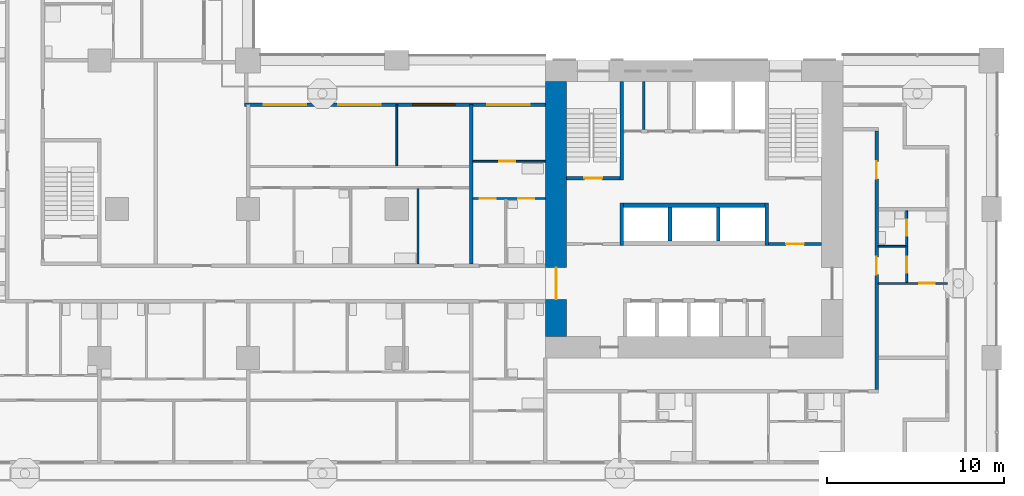
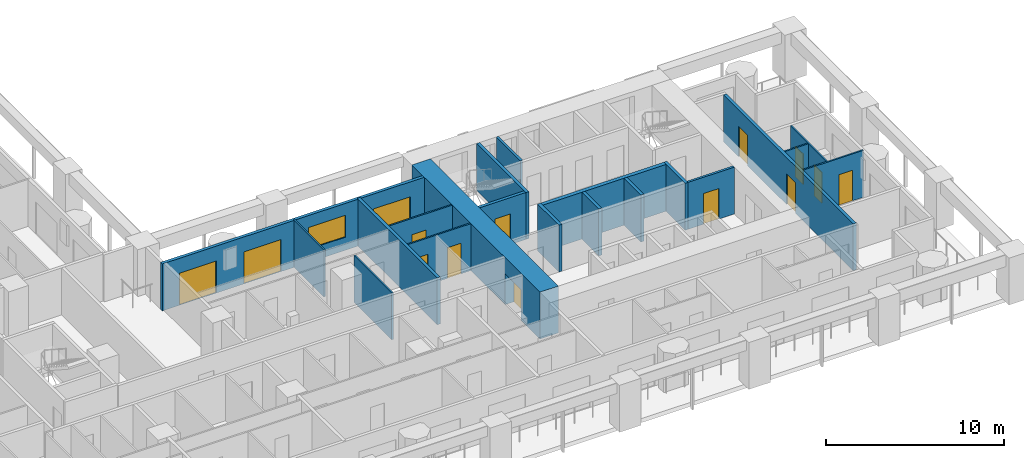
# One storey, part 7 of 22: 20 walls, 14 doors, 1 window, 15 openings.
"""IFC4 building model written with IfcOpenShell, lengths in metres."""

from ifc_helpers import new_model, si_unit, direction, frame, frame_2d, origin, place, context, subcontext, project, spatial, rectangle, extrude, material, layer, layer_set, type_object, element, fill, save


model = new_model("IFC4")

# Units and contexts
model_context = context("Model", 3, precision=1e-05, world=origin(), true_north=direction((0.0, 1.0)))
body_context = subcontext(model_context, "Body", "Model", "MODEL_VIEW")
ifc_project = project(units=[si_unit("LENGTHUNIT", "METRE"), si_unit("AREAUNIT", "SQUARE_METRE"), si_unit("VOLUMEUNIT", "CUBIC_METRE"), si_unit("PLANEANGLEUNIT", "RADIAN"), si_unit("MASSUNIT", "GRAM", prefix="KILO")], contexts=[model_context])

# Site, building, storey
site_placement = place(None, origin())
site = spatial("IfcSite", under=ifc_project, at=site_placement, CompositionType="ELEMENT")
building_placement = place(site_placement, origin())
building = spatial("IfcBuilding", under=site, at=building_placement, Name="Vermilion Gate Residences", CompositionType="ELEMENT")
storey_placement = place(building_placement, frame((0.0, 0.0, 60.199951171875)))
storey = spatial("IfcBuildingStorey", under=building, at=storey_placement, Name="L14", CompositionType="ELEMENT", Elevation=60.199951171875)

# Wall
ifc_material_1 = material(Name="Masonry blockwork", Category="masonry")
ifc_layer_1 = layer(ifc_material_1, 0.14990234375)
ifc_layer_set_1 = layer_set([ifc_layer_1], Name="BLOCKWORK PARTITION 150 EI 120")
wall_type_1 = type_object("IfcWallType", Name="BLOCKWORK PARTITION 150 EI 120", PredefinedType="PARTITIONING", material=ifc_layer_set_1)
wall_1_placement = place(storey_placement, frame((47.554931640625, 21.300048828125, 0.0), z_axis=(0.0, 0.0, 1.0), x_axis=(0.0, 1.0, 0.0)))
element("IfcWall", 1, at=wall_1_placement, inside=storey, type_object=wall_type_1, Name="Core room partition A14-NR-P0", PredefinedType="PARTITIONING", context=body_context, shape_type="SweptSolid", body=[
    extrude(rectangle(XDim=2.699951171875, YDim=0.14990234375, at=frame_2d((1.35009765625, 0.0))), origin(), (0.0, 0.0, 1.0), 3.219970703125),
])

# Wall, opening, door
wall_2_placement = place(storey_placement, frame((54.60009765625, 14.824951171875, 0.0), z_axis=(0.0, 0.0, 1.0), x_axis=(1.0, 0.0, 0.0)))
wall_2 = element("IfcWall", 2, at=wall_2_placement, inside=storey, type_object=wall_type_1, Name="Core room partition A14-VE-S", PredefinedType="PARTITIONING", context=body_context, shape_type="SweptSolid", body=[
    extrude(rectangle(XDim=3.0, YDim=0.14990234375, at=frame_2d((1.5, 0.0))), origin(), (0.0, 0.0, 1.0), 3.219970703125),
])
opening_1_placement = place(wall_2_placement, frame((1.0, 0.0, 0.0)))
opening_1 = element("IfcOpeningElement", 3, at=opening_1_placement, cuts=wall_2, Name="Opening DK14017", PredefinedType="OPENING", context=body_context, shape_type="SweptSolid", body=[
    extrude(rectangle(XDim=1.0, YDim=2.10009765625, at=frame_2d((0.5, 1.050048828125))), frame((0.0, 0.0849609375, 0.0), z_axis=(0.0, -1.0, 0.0), x_axis=(1.0, 0.0, 0.0)), (0.0, 0.0, 1.0), 0.169921875),
])
ifc_material_2 = material(Name="Steel", Category="steel")
door_type_1 = type_object("IfcDoorType", Name="FIRE DOOR FD60 1000 X 2100", OperationType="SINGLE_SWING_LEFT", PredefinedType="DOOR", material=ifc_material_2)
door_1_placement = place(opening_1_placement, frame((1.0, 0.0, 0.0), z_axis=(0.0, 0.0, 1.0), x_axis=(-1.0, 0.0, 0.0)))
door_1 = element("IfcDoor", 4, at=door_1_placement, inside=storey, type_object=door_type_1, Name="Stair vestibule door A14", OperationType="SINGLE_SWING_LEFT", OverallHeight=2.10009765625, OverallWidth=1.0, PredefinedType="DOOR", context=body_context, shape_type="SweptSolid", body=[
    extrude(rectangle(XDim=1.0, YDim=2.10009765625, at=frame_2d((0.5, 1.050048828125))), frame((0.0, 0.02490234375, 0.0), z_axis=(0.0, -1.0, 0.0), x_axis=(1.0, 0.0, 0.0)), (0.0, 0.0, 1.0), 0.050048828125),
])
fill(opening_1, door_1)

# Wall, openings, doors, window
ifc_material_3 = material(Name="Insulated steel stud wall with terracotta rainscreen", Category="masonry")
ifc_layer_2 = layer(ifc_material_3, 0.199951171875)
ifc_layer_set_2 = layer_set([ifc_layer_2], Name="EXTERNAL WALL 200 TERRACOTTA RAINSCREEN")
wall_type_2 = type_object("IfcWallType", Name="EXTERNAL WALL 200 TERRACOTTA RAINSCREEN", PredefinedType="SOLIDWALL", material=ifc_layer_set_2)
wall_3_placement = place(storey_placement, frame((42.0, 22.699951171875, 0.0), z_axis=(0.0, 0.0, 1.0), x_axis=(-1.0, 0.0, 0.0)))
wall_3 = element("IfcWall", 5, at=wall_3_placement, inside=storey, type_object=wall_type_2, Name="External wall", PredefinedType="SOLIDWALL", context=body_context, shape_type="SweptSolid", body=[
    extrude(rectangle(XDim=17.0, YDim=0.199951171875, at=frame_2d((8.5, 0.0))), origin(), (0.0, 0.0, 1.0), 3.219970703125),
])
opening_2_placement = place(wall_3_placement, frame((13.5, 0.0, 0.0)))
opening_2 = element("IfcOpeningElement", 6, at=opening_2_placement, cuts=wall_3, Name="Opening DE14033", PredefinedType="OPENING", context=body_context, shape_type="SweptSolid", body=[
    extrude(rectangle(XDim=2.39990234375, YDim=2.199951171875, at=frame_2d((1.199951171875, 1.10009765625))), frame((0.0, 0.10986328125, 0.0), z_axis=(0.0, -1.0, 0.0), x_axis=(1.0, 0.0, 0.0)), (0.0, 0.0, 1.0), 0.219970703125),
])
opening_3_placement = place(wall_3_placement, frame((9.300048828125, 0.0, 0.0)))
opening_3 = element("IfcOpeningElement", 7, at=opening_3_placement, cuts=wall_3, Name="Opening DE14034", PredefinedType="OPENING", context=body_context, shape_type="SweptSolid", body=[
    extrude(rectangle(XDim=2.39990234375, YDim=2.199951171875, at=frame_2d((1.199951171875, 1.10009765625))), frame((0.0, 0.10986328125, 0.0), z_axis=(0.0, -1.0, 0.0), x_axis=(1.0, 0.0, 0.0)), (0.0, 0.0, 1.0), 0.219970703125),
])
opening_4_placement = place(wall_3_placement, frame((5.10009765625, 0.0, 0.89990234375)))
opening_4 = element("IfcOpeningElement", 8, at=opening_4_placement, cuts=wall_3, Name="Opening WE14035", PredefinedType="OPENING", context=body_context, shape_type="SweptSolid", body=[
    extrude(rectangle(XDim=2.39990234375, YDim=1.5, at=frame_2d((1.199951171875, 0.75))), frame((0.0, 0.10986328125, 0.0), z_axis=(0.0, -1.0, 0.0), x_axis=(1.0, 0.0, 0.0)), (0.0, 0.0, 1.0), 0.219970703125),
])
opening_5_placement = place(wall_3_placement, frame((0.89990234375, 0.0, 0.0)))
opening_5 = element("IfcOpeningElement", 9, at=opening_5_placement, cuts=wall_3, Name="Opening DE14036", PredefinedType="OPENING", context=body_context, shape_type="SweptSolid", body=[
    extrude(rectangle(XDim=2.39990234375, YDim=2.199951171875, at=frame_2d((1.199951171875, 1.10009765625))), frame((0.0, 0.10986328125, 0.0), z_axis=(0.0, -1.0, 0.0), x_axis=(1.0, 0.0, 0.0)), (0.0, 0.0, 1.0), 0.219970703125),
])
ifc_material_4 = material(Name="Aluminium and clear glass", Category="aluminium")
door_type_2 = type_object("IfcDoorType", Name="SLIDING GLAZED DOOR 2400 X 2200", OperationType="DOUBLE_DOOR_SLIDING", PredefinedType="DOOR", material=ifc_material_4)
door_2_placement = place(opening_2_placement, origin())
door_2 = element("IfcDoor", 10, at=door_2_placement, inside=storey, type_object=door_type_2, Name="Loggia sliding door", OperationType="DOUBLE_DOOR_SLIDING", OverallHeight=2.199951171875, OverallWidth=2.39990234375, PredefinedType="DOOR", context=body_context, shape_type="SweptSolid", body=[
    extrude(rectangle(XDim=2.39990234375, YDim=2.199951171875, at=frame_2d((1.199951171875, 1.10009765625))), frame((0.0, 0.02490234375, 0.0), z_axis=(0.0, -1.0, 0.0), x_axis=(1.0, 0.0, 0.0)), (0.0, 0.0, 1.0), 0.050048828125),
])
fill(opening_2, door_2)
door_3_placement = place(opening_3_placement, origin())
door_3 = element("IfcDoor", 11, at=door_3_placement, inside=storey, type_object=door_type_2, Name="Loggia sliding door", OperationType="DOUBLE_DOOR_SLIDING", OverallHeight=2.199951171875, OverallWidth=2.39990234375, PredefinedType="DOOR", context=body_context, shape_type="SweptSolid", body=[
    extrude(rectangle(XDim=2.39990234375, YDim=2.199951171875, at=frame_2d((1.199951171875, 1.10009765625))), frame((0.0, 0.02490234375, 0.0), z_axis=(0.0, -1.0, 0.0), x_axis=(1.0, 0.0, 0.0)), (0.0, 0.0, 1.0), 0.050048828125),
])
fill(opening_3, door_3)
door_4_placement = place(opening_5_placement, origin())
door_4 = element("IfcDoor", 12, at=door_4_placement, inside=storey, type_object=door_type_2, Name="Loggia sliding door", OperationType="DOUBLE_DOOR_SLIDING", OverallHeight=2.199951171875, OverallWidth=2.39990234375, PredefinedType="DOOR", context=body_context, shape_type="SweptSolid", body=[
    extrude(rectangle(XDim=2.39990234375, YDim=2.199951171875, at=frame_2d((1.199951171875, 1.10009765625))), frame((0.0, 0.02490234375, 0.0), z_axis=(0.0, -1.0, 0.0), x_axis=(1.0, 0.0, 0.0)), (0.0, 0.0, 1.0), 0.050048828125),
])
fill(opening_5, door_4)
ifc_material_5 = material(Name="Aluminium and clear glass", Category="aluminium")
window_type = type_object("IfcWindowType", Name="WINDOW 2400 X 1500", PartitioningType="SINGLE_PANEL", PredefinedType="WINDOW", material=ifc_material_5)
window_placement = place(opening_4_placement, origin())
window = element("IfcWindow", 13, at=window_placement, inside=storey, type_object=window_type, Name="Window", OverallHeight=1.5, OverallWidth=2.39990234375, PartitioningType="SINGLE_PANEL", PredefinedType="WINDOW", context=body_context, shape_type="SweptSolid", body=[
    extrude(rectangle(XDim=2.39990234375, YDim=1.5, at=frame_2d((1.199951171875, 0.75))), frame((0.0, 0.030029296875, 0.0), z_axis=(0.0, -1.0, 0.0), x_axis=(1.0, 0.0, 0.0)), (0.0, 0.0, 1.0), 0.06005859375),
])
fill(opening_4, window)

# Wall, opening, door
ifc_material_6 = material(Name="Plasterboard on steel studs", Category="steel")
ifc_layer_3 = layer(ifc_material_6, 0.10009765625)
ifc_layer_set_3 = layer_set([ifc_layer_3], Name="PARTITION 100")
wall_type_3 = type_object("IfcWallType", Name="PARTITION 100", PredefinedType="PARTITIONING", material=ifc_layer_set_3)
wall_4_placement = place(storey_placement, frame((60.800048828125, 12.60009765625, 0.0), z_axis=(0.0, 0.0, 1.0), x_axis=(1.0, 0.0, 0.0)))
wall_4 = element("IfcWall", 14, at=wall_4_placement, inside=storey, type_object=wall_type_3, Name="Partition", PredefinedType="PARTITIONING", context=body_context, shape_type="SweptSolid", body=[
    extrude(rectangle(XDim=3.89990234375, YDim=0.10009765625, at=frame_2d((1.949951171875, 0.0))), origin(), (0.0, 0.0, 1.0), 3.219970703125),
])
opening_6_placement = place(wall_4_placement, frame((2.300048828125, 0.0, 0.0)))
opening_6 = element("IfcOpeningElement", 15, at=opening_6_placement, cuts=wall_4, Name="Opening DA13031", PredefinedType="OPENING", context=body_context, shape_type="SweptSolid", body=[
    extrude(rectangle(XDim=0.89990234375, YDim=2.10009765625, at=frame_2d((0.449951171875, 1.050048828125))), frame((0.0, 0.06005859375, 0.0), z_axis=(0.0, -1.0, 0.0), x_axis=(1.0, 0.0, 0.0)), (0.0, 0.0, 1.0), 0.1201171875),
])
ifc_material_7 = material(Name="Timber", Category="wood")
door_type_3 = type_object("IfcDoorType", Name="INTERIOR DOOR 900 X 2100", OperationType="SINGLE_SWING_LEFT", PredefinedType="DOOR", material=ifc_material_7)
door_5_placement = place(opening_6_placement, origin())
door_5 = element("IfcDoor", 16, at=door_5_placement, inside=storey, type_object=door_type_3, Name="Interior door", OperationType="SINGLE_SWING_RIGHT", OverallHeight=2.10009765625, OverallWidth=0.89990234375, PredefinedType="DOOR", context=body_context, shape_type="SweptSolid", body=[
    extrude(rectangle(XDim=0.89990234375, YDim=2.10009765625, at=frame_2d((0.449951171875, 1.050048828125))), frame((0.0, 0.02490234375, 0.0), z_axis=(0.0, -1.0, 0.0), x_axis=(1.0, 0.0, 0.0)), (0.0, 0.0, 1.0), 0.050048828125),
])
fill(opening_6, door_5)

# Wall
wall_5_placement = place(storey_placement, frame((60.800048828125, 14.699951171875, 0.0), z_axis=(0.0, 0.0, 1.0), x_axis=(1.0, 0.0, 0.0)))
element("IfcWall", 17, at=wall_5_placement, inside=storey, type_object=wall_type_3, Name="Partition", PredefinedType="PARTITIONING", context=body_context, shape_type="SweptSolid", body=[
    extrude(rectangle(XDim=1.550048828125, YDim=0.10009765625, at=frame_2d((0.77490234375, 0.0))), origin(), (0.0, 0.0, 1.0), 3.219970703125),
])

# Wall, openings, doors
wall_6_placement = place(storey_placement, frame((37.89990234375, 17.39990234375, 0.0), z_axis=(0.0, 0.0, 1.0), x_axis=(1.0, 0.0, 0.0)))
wall_6 = element("IfcWall", 18, at=wall_6_placement, inside=storey, type_object=wall_type_3, Name="Partition", PredefinedType="PARTITIONING", context=body_context, shape_type="SweptSolid", body=[
    extrude(rectangle(XDim=4.10009765625, YDim=0.10009765625, at=frame_2d((2.050048828125, 0.0))), origin(), (0.0, 0.0, 1.0), 3.219970703125),
])
opening_7_placement = place(wall_6_placement, frame((0.39990234375, 0.0, 0.0)))
opening_7 = element("IfcOpeningElement", 19, at=opening_7_placement, cuts=wall_6, Name="Opening DA13035", PredefinedType="OPENING", context=body_context, shape_type="SweptSolid", body=[
    extrude(rectangle(XDim=0.89990234375, YDim=2.10009765625, at=frame_2d((0.449951171875, 1.050048828125))), frame((0.0, 0.06005859375, 0.0), z_axis=(0.0, -1.0, 0.0), x_axis=(1.0, 0.0, 0.0)), (0.0, 0.0, 1.0), 0.1201171875),
])
opening_8_placement = place(wall_6_placement, frame((2.56005859375, 0.0, 0.0)))
opening_8 = element("IfcOpeningElement", 20, at=opening_8_placement, cuts=wall_6, Name="Opening DA13036", PredefinedType="OPENING", context=body_context, shape_type="SweptSolid", body=[
    extrude(rectangle(XDim=0.89990234375, YDim=2.10009765625, at=frame_2d((0.449951171875, 1.050048828125))), frame((0.0, 0.06005859375, 0.0), z_axis=(0.0, -1.0, 0.0), x_axis=(1.0, 0.0, 0.0)), (0.0, 0.0, 1.0), 0.1201171875),
])
door_6_placement = place(opening_7_placement, origin())
door_6 = element("IfcDoor", 21, at=door_6_placement, inside=storey, type_object=door_type_3, Name="Interior door", OperationType="SINGLE_SWING_LEFT", OverallHeight=2.10009765625, OverallWidth=0.89990234375, PredefinedType="DOOR", context=body_context, shape_type="SweptSolid", body=[
    extrude(rectangle(XDim=0.89990234375, YDim=2.10009765625, at=frame_2d((0.449951171875, 1.050048828125))), frame((0.0, 0.02490234375, 0.0), z_axis=(0.0, -1.0, 0.0), x_axis=(1.0, 0.0, 0.0)), (0.0, 0.0, 1.0), 0.050048828125),
])
fill(opening_7, door_6)
door_7_placement = place(opening_8_placement, frame((0.89990234375, 0.0, 0.0), z_axis=(0.0, 0.0, 1.0), x_axis=(-1.0, 0.0, 0.0)))
door_7 = element("IfcDoor", 22, at=door_7_placement, inside=storey, type_object=door_type_3, Name="Interior door", OperationType="SINGLE_SWING_RIGHT", OverallHeight=2.10009765625, OverallWidth=0.89990234375, PredefinedType="DOOR", context=body_context, shape_type="SweptSolid", body=[
    extrude(rectangle(XDim=0.89990234375, YDim=2.10009765625, at=frame_2d((0.449951171875, 1.050048828125))), frame((0.0, 0.02490234375, 0.0), z_axis=(0.0, -1.0, 0.0), x_axis=(1.0, 0.0, 0.0)), (0.0, 0.0, 1.0), 0.050048828125),
])
fill(opening_8, door_7)

# Wall, opening, door
wall_7_placement = place(storey_placement, frame((37.89990234375, 19.5, 0.0), z_axis=(0.0, 0.0, 1.0), x_axis=(1.0, 0.0, 0.0)))
wall_7 = element("IfcWall", 23, at=wall_7_placement, inside=storey, type_object=wall_type_3, Name="Partition", PredefinedType="PARTITIONING", context=body_context, shape_type="SweptSolid", body=[
    extrude(rectangle(XDim=4.10009765625, YDim=0.10009765625, at=frame_2d((2.050048828125, 0.0))), origin(), (0.0, 0.0, 1.0), 3.219970703125),
])
opening_9_placement = place(wall_7_placement, frame((1.5, 0.0, 0.0)))
opening_9 = element("IfcOpeningElement", 24, at=opening_9_placement, cuts=wall_7, Name="Opening DA13043", PredefinedType="OPENING", context=body_context, shape_type="SweptSolid", body=[
    extrude(rectangle(XDim=0.89990234375, YDim=2.10009765625, at=frame_2d((0.449951171875, 1.050048828125))), frame((0.0, 0.06005859375, 0.0), z_axis=(0.0, -1.0, 0.0), x_axis=(1.0, 0.0, 0.0)), (0.0, 0.0, 1.0), 0.1201171875),
])
door_8_placement = place(opening_9_placement, frame((0.89990234375, 0.0, 0.0), z_axis=(0.0, 0.0, 1.0), x_axis=(-1.0, 0.0, 0.0)))
door_8 = element("IfcDoor", 25, at=door_8_placement, inside=storey, type_object=door_type_3, Name="Interior door", OperationType="SINGLE_SWING_LEFT", OverallHeight=2.10009765625, OverallWidth=0.89990234375, PredefinedType="DOOR", context=body_context, shape_type="SweptSolid", body=[
    extrude(rectangle(XDim=0.89990234375, YDim=2.10009765625, at=frame_2d((0.449951171875, 1.050048828125))), frame((0.0, 0.02490234375, 0.0), z_axis=(0.0, -1.0, 0.0), x_axis=(1.0, 0.0, 0.0)), (0.0, 0.0, 1.0), 0.050048828125),
])
fill(opening_9, door_8)

# Walls
wall_8_placement = place(storey_placement, frame((33.60009765625, 19.25, 0.0), z_axis=(0.0, 0.0, 1.0), x_axis=(0.0, 1.0, 0.0)))
element("IfcWall", 26, at=wall_8_placement, inside=storey, type_object=wall_type_3, Name="Partition", PredefinedType="PARTITIONING", context=body_context, shape_type="SweptSolid", body=[
    extrude(rectangle(XDim=3.449951171875, YDim=0.10009765625, at=frame_2d((1.72509765625, 0.0))), origin(), (0.0, 0.0, 1.0), 3.219970703125),
])
wall_9_placement = place(storey_placement, frame((34.800048828125, 13.699951171875, 0.0), z_axis=(0.0, 0.0, 1.0), x_axis=(0.0, 1.0, 0.0)))
element("IfcWall", 27, at=wall_9_placement, inside=storey, type_object=wall_type_3, Name="Partition", PredefinedType="PARTITIONING", context=body_context, shape_type="SweptSolid", body=[
    extrude(rectangle(XDim=4.25, YDim=0.10009765625, at=frame_2d((2.125, 0.0))), origin(), (0.0, 0.0, 1.0), 3.219970703125),
])

# Wall, openings, doors
wall_10_placement = place(storey_placement, frame((62.39990234375, 12.64990234375, 0.0), z_axis=(0.0, 0.0, 1.0), x_axis=(0.0, 1.0, 0.0)))
wall_10 = element("IfcWall", 28, at=wall_10_placement, inside=storey, type_object=wall_type_3, Name="Partition", PredefinedType="PARTITIONING", context=body_context, shape_type="SweptSolid", body=[
    extrude(rectangle(XDim=4.050048828125, YDim=0.10009765625, at=frame_2d((2.02490234375, 0.0))), origin(), (0.0, 0.0, 1.0), 3.219970703125),
])
opening_10_placement = place(wall_10_placement, frame((0.550048828125, 0.0, 0.0)))
opening_10 = element("IfcOpeningElement", 29, at=opening_10_placement, cuts=wall_10, Name="Opening DA13085", PredefinedType="OPENING", context=body_context, shape_type="SweptSolid", body=[
    extrude(rectangle(XDim=0.89990234375, YDim=2.10009765625, at=frame_2d((0.449951171875, 1.050048828125))), frame((0.0, 0.06005859375, 0.0), z_axis=(0.0, -1.0, 0.0), x_axis=(1.0, 0.0, 0.0)), (0.0, 0.0, 1.0), 0.1201171875),
])
opening_11_placement = place(wall_10_placement, frame((2.64990234375, 0.0, 0.0)))
opening_11 = element("IfcOpeningElement", 30, at=opening_11_placement, cuts=wall_10, Name="Opening DA13086", PredefinedType="OPENING", context=body_context, shape_type="SweptSolid", body=[
    extrude(rectangle(XDim=0.89990234375, YDim=2.10009765625, at=frame_2d((0.449951171875, 1.050048828125))), frame((0.0, 0.06005859375, 0.0), z_axis=(0.0, -1.0, 0.0), x_axis=(1.0, 0.0, 0.0)), (0.0, 0.0, 1.0), 0.1201171875),
])
door_9_placement = place(opening_10_placement, frame((0.89990234375, 0.0, 0.0), z_axis=(0.0, 0.0, 1.0), x_axis=(-1.0, 0.0, 0.0)))
door_9 = element("IfcDoor", 31, at=door_9_placement, inside=storey, type_object=door_type_3, Name="Interior door", OperationType="SINGLE_SWING_RIGHT", OverallHeight=2.10009765625, OverallWidth=0.89990234375, PredefinedType="DOOR", context=body_context, shape_type="SweptSolid", body=[
    extrude(rectangle(XDim=0.89990234375, YDim=2.10009765625, at=frame_2d((0.449951171875, 1.050048828125))), frame((0.0, 0.02490234375, 0.0), z_axis=(0.0, -1.0, 0.0), x_axis=(1.0, 0.0, 0.0)), (0.0, 0.0, 1.0), 0.050048828125),
])
fill(opening_10, door_9)
door_10_placement = place(opening_11_placement, origin())
door_10 = element("IfcDoor", 32, at=door_10_placement, inside=storey, type_object=door_type_3, Name="Interior door", OperationType="SINGLE_SWING_RIGHT", OverallHeight=2.10009765625, OverallWidth=0.89990234375, PredefinedType="DOOR", context=body_context, shape_type="SweptSolid", body=[
    extrude(rectangle(XDim=0.89990234375, YDim=2.10009765625, at=frame_2d((0.449951171875, 1.050048828125))), frame((0.0, 0.02490234375, 0.0), z_axis=(0.0, -1.0, 0.0), x_axis=(1.0, 0.0, 0.0)), (0.0, 0.0, 1.0), 0.050048828125),
])
fill(opening_11, door_10)

# Wall
ifc_material_8 = material(Name="Fire-rated plasterboard on steel studs", Category="steel")
ifc_layer_4 = layer(ifc_material_8, 0.199951171875)
ifc_layer_set_4 = layer_set([ifc_layer_4], Name="PARTY WALL 200 EI 120")
wall_type_4 = type_object("IfcWallType", Name="PARTY WALL 200 EI 120", PredefinedType="PARTITIONING", material=ifc_layer_set_4)
wall_11_placement = place(storey_placement, frame((37.800048828125, 13.699951171875, 0.0), z_axis=(0.0, 0.0, 1.0), x_axis=(0.0, 1.0, 0.0)))
element("IfcWall", 33, at=wall_11_placement, inside=storey, type_object=wall_type_4, Name="Party and corridor wall", PredefinedType="PARTITIONING", context=body_context, shape_type="SweptSolid", body=[
    extrude(rectangle(XDim=9.0, YDim=0.199951171875, at=frame_2d((4.5, 0.0))), origin(), (0.0, 0.0, 1.0), 3.219970703125),
])

# Wall, openings, doors
wall_12_placement = place(storey_placement, frame((60.699951171875, 6.60009765625, 0.0), z_axis=(0.0, 0.0, 1.0), x_axis=(0.0, 1.0, 0.0)))
wall_12 = element("IfcWall", 34, at=wall_12_placement, inside=storey, type_object=wall_type_4, Name="Party and corridor wall", PredefinedType="PARTITIONING", context=body_context, shape_type="SweptSolid", body=[
    extrude(rectangle(XDim=14.599853515625, YDim=0.199951171875, at=frame_2d((7.2998046875, 0.0))), origin(), (0.0, 0.0, 1.0), 3.219970703125),
])
opening_12_placement = place(wall_12_placement, frame((6.5, 0.0, 0.0)))
opening_12 = element("IfcOpeningElement", 35, at=opening_12_placement, cuts=wall_12, Name="Opening DA13083", PredefinedType="OPENING", context=body_context, shape_type="SweptSolid", body=[
    extrude(rectangle(XDim=1.0, YDim=2.10009765625, at=frame_2d((0.5, 1.050048828125))), frame((0.0, 0.10986328125, 0.0), z_axis=(0.0, -1.0, 0.0), x_axis=(1.0, 0.0, 0.0)), (0.0, 0.0, 1.0), 0.219970703125),
])
opening_13_placement = place(wall_12_placement, frame((11.89990234375, 0.0, 0.0)))
opening_13 = element("IfcOpeningElement", 36, at=opening_13_placement, cuts=wall_12, Name="Opening DA13084", PredefinedType="OPENING", context=body_context, shape_type="SweptSolid", body=[
    extrude(rectangle(XDim=1.0, YDim=2.10009765625, at=frame_2d((0.5, 1.050048828125))), frame((0.0, 0.10986328125, 0.0), z_axis=(0.0, -1.0, 0.0), x_axis=(1.0, 0.0, 0.0)), (0.0, 0.0, 1.0), 0.219970703125),
])
ifc_material_9 = material(Name="Steel", Category="steel")
door_type_4 = type_object("IfcDoorType", Name="ENTRANCE DOOR 1000 X 2100 FD30", OperationType="SINGLE_SWING_LEFT", PredefinedType="DOOR", material=ifc_material_9)
door_11_placement = place(opening_12_placement, frame((1.0, 0.0, 0.0), z_axis=(0.0, 0.0, 1.0), x_axis=(-1.0, 0.0, 0.0)))
door_11 = element("IfcDoor", 37, at=door_11_placement, inside=storey, type_object=door_type_4, Name="Entrance door", OperationType="SINGLE_SWING_RIGHT", OverallHeight=2.10009765625, OverallWidth=1.0, PredefinedType="DOOR", context=body_context, shape_type="SweptSolid", body=[
    extrude(rectangle(XDim=1.0, YDim=2.10009765625, at=frame_2d((0.5, 1.050048828125))), frame((0.0, 0.02490234375, 0.0), z_axis=(0.0, -1.0, 0.0), x_axis=(1.0, 0.0, 0.0)), (0.0, 0.0, 1.0), 0.050048828125),
])
fill(opening_12, door_11)
door_12_placement = place(opening_13_placement, frame((1.0, 0.0, 0.0), z_axis=(0.0, 0.0, 1.0), x_axis=(-1.0, 0.0, 0.0)))
door_12 = element("IfcDoor", 38, at=door_12_placement, inside=storey, type_object=door_type_4, Name="Entrance door", OperationType="SINGLE_SWING_RIGHT", OverallHeight=2.10009765625, OverallWidth=1.0, PredefinedType="DOOR", context=body_context, shape_type="SweptSolid", body=[
    extrude(rectangle(XDim=1.0, YDim=2.10009765625, at=frame_2d((0.5, 1.050048828125))), frame((0.0, 0.02490234375, 0.0), z_axis=(0.0, -1.0, 0.0), x_axis=(1.0, 0.0, 0.0)), (0.0, 0.0, 1.0), 0.050048828125),
])
fill(opening_13, door_12)

# Walls
ifc_material_10 = material(Name="Concrete C60", Category="concrete")
ifc_layer_5 = layer(ifc_material_10, 0.199951171875)
ifc_layer_set_5 = layer_set([ifc_layer_5], Name="RC CORE INTERNAL WALL 200 C60")
wall_type_5 = type_object("IfcWallType", Name="RC CORE INTERNAL WALL 200 C60", PredefinedType="SHEAR", material=ifc_layer_set_5)
for number, where, z_axis, x_axis, name in (
    (39, (49.033447265625, 15.0, 0.0), (0.0, 0.0, 1.0), (0.0, 1.0, 0.0), "Core internal wall A14-HR-D1"),
    (40, (51.7666015625, 15.0, 0.0), (0.0, 0.0, 1.0), (0.0, 1.0, 0.0), "Core internal wall A14-HR-D2"),
):
    element("IfcWall", number, at=place(storey_placement, frame(where, z_axis=z_axis, x_axis=x_axis)), inside=storey, type_object=wall_type_5, Name=name, PredefinedType="SHEAR", context=body_context, shape_type="SweptSolid", body=[
        extrude(rectangle(XDim=1.89990234375, YDim=0.199951171875, at=frame_2d((0.949951171875, 0.0))), origin(), (0.0, 0.0, 1.0), 3.219970703125),
    ])
wall_13_placement = place(storey_placement, frame((46.300048828125, 14.75, 0.0), z_axis=(0.0, 0.0, 1.0), x_axis=(0.0, 1.0, 0.0)))
element("IfcWall", 41, at=wall_13_placement, inside=storey, type_object=wall_type_5, Name="Core internal wall A14-WDIV1", PredefinedType="SHEAR", context=body_context, shape_type="SweptSolid", body=[
    extrude(rectangle(XDim=2.39990234375, YDim=0.199951171875, at=frame_2d((1.199951171875, 0.0))), origin(), (0.0, 0.0, 1.0), 3.219970703125),
])
wall_14_placement = place(storey_placement, frame((46.300048828125, 18.449951171875, 0.0), z_axis=(0.0, 0.0, 1.0), x_axis=(0.0, 1.0, 0.0)))
element("IfcWall", 42, at=wall_14_placement, inside=storey, type_object=wall_type_5, Name="Core internal wall A14-WDIV2", PredefinedType="SHEAR", context=body_context, shape_type="SweptSolid", body=[
    extrude(rectangle(XDim=5.550048828125, YDim=0.199951171875, at=frame_2d((2.77490234375, 0.0))), origin(), (0.0, 0.0, 1.0), 3.219970703125),
])

# Wall, opening, door
wall_15_placement = place(storey_placement, frame((43.199951171875, 18.550048828125, 0.0), z_axis=(0.0, 0.0, 1.0), x_axis=(1.0, 0.0, 0.0)))
wall_15 = element("IfcWall", 43, at=wall_15_placement, inside=storey, type_object=wall_type_5, Name="Core internal wall A14-STW-S", PredefinedType="SHEAR", context=body_context, shape_type="SweptSolid", body=[
    extrude(rectangle(XDim=3.0, YDim=0.199951171875, at=frame_2d((1.5, 0.0))), origin(), (0.0, 0.0, 1.0), 3.219970703125),
])
opening_14_placement = place(wall_15_placement, frame((1.0, 0.0, 0.0)))
opening_14 = element("IfcOpeningElement", 44, at=opening_14_placement, cuts=wall_15, Name="Opening DK14016", PredefinedType="OPENING", context=body_context, shape_type="SweptSolid", body=[
    extrude(rectangle(XDim=1.0, YDim=2.10009765625, at=frame_2d((0.5, 1.050048828125))), frame((0.0, 0.10986328125, 0.0), z_axis=(0.0, -1.0, 0.0), x_axis=(1.0, 0.0, 0.0)), (0.0, 0.0, 1.0), 0.219970703125),
])
door_13_placement = place(opening_14_placement, origin())
door_13 = element("IfcDoor", 45, at=door_13_placement, inside=storey, type_object=door_type_1, Name="Stair door A14", OperationType="SINGLE_SWING_LEFT", OverallHeight=2.10009765625, OverallWidth=1.0, PredefinedType="DOOR", context=body_context, shape_type="SweptSolid", body=[
    extrude(rectangle(XDim=1.0, YDim=2.10009765625, at=frame_2d((0.5, 1.050048828125))), frame((0.0, 0.02490234375, 0.0), z_axis=(0.0, -1.0, 0.0), x_axis=(1.0, 0.0, 0.0)), (0.0, 0.0, 1.0), 0.050048828125),
])
fill(opening_14, door_13)

# Wall
wall_16_placement = place(storey_placement, frame((54.5, 14.75, 0.0), z_axis=(0.0, 0.0, 1.0), x_axis=(0.0, 1.0, 0.0)))
element("IfcWall", 46, at=wall_16_placement, inside=storey, type_object=wall_type_5, Name="Core internal wall A14-EDIV1", PredefinedType="SHEAR", context=body_context, shape_type="SweptSolid", body=[
    extrude(rectangle(XDim=2.39990234375, YDim=0.199951171875, at=frame_2d((1.199951171875, 0.0))), origin(), (0.0, 0.0, 1.0), 3.219970703125),
])

# Wall, opening, door
ifc_material_11 = material(Name="Concrete C80", Category="concrete")
ifc_layer_6 = layer(ifc_material_11, 1.199951171875)
ifc_layer_set_6 = layer_set([ifc_layer_6], Name="RC CORE WALL 1200 C80")
wall_type_6 = type_object("IfcWallType", Name="RC CORE WALL 1200 C80", PredefinedType="SHEAR", material=ifc_layer_set_6)
wall_17_placement = place(storey_placement, frame((42.60009765625, 9.60009765625, 0.0), z_axis=(0.0, 0.0, 1.0), x_axis=(0.0, 1.0, 0.0)))
wall_17 = element("IfcWall", 47, at=wall_17_placement, inside=storey, type_object=wall_type_6, Name="Core wall A14-OUT-FR", PredefinedType="SHEAR", context=body_context, shape_type="SweptSolid", body=[
    extrude(rectangle(XDim=14.39990234375, YDim=1.199951171875, at=frame_2d((7.199951171875, 0.0))), origin(), (0.0, 0.0, 1.0), 3.219970703125),
])
opening_15_placement = place(wall_17_placement, frame((2.10009765625, 0.0, 0.0)))
opening_15 = element("IfcOpeningElement", 48, at=opening_15_placement, cuts=wall_17, Name="Opening DK14003", PredefinedType="OPENING", context=body_context, shape_type="SweptSolid", body=[
    extrude(rectangle(XDim=1.800048828125, YDim=2.10009765625, at=frame_2d((0.89990234375, 1.050048828125))), frame((0.0, 0.60986328125, 0.0), z_axis=(0.0, -1.0, 0.0), x_axis=(1.0, 0.0, 0.0)), (0.0, 0.0, 1.0), 1.219970703125),
])
ifc_material_12 = material(Name="Steel", Category="steel")
door_type_5 = type_object("IfcDoorType", Name="CORE LOBBY DOOR FD60 1800 X 2100", OperationType="DOUBLE_DOOR_SINGLE_SWING", PredefinedType="DOOR", material=ifc_material_12)
door_14_placement = place(opening_15_placement, frame((1.800048828125, 0.0, 0.0), z_axis=(0.0, 0.0, 1.0), x_axis=(-1.0, 0.0, 0.0)))
door_14 = element("IfcDoor", 49, at=door_14_placement, inside=storey, type_object=door_type_5, Name="Core lobby door A14", OperationType="DOUBLE_DOOR_SINGLE_SWING", OverallHeight=2.10009765625, OverallWidth=1.800048828125, PredefinedType="DOOR", context=body_context, shape_type="SweptSolid", body=[
    extrude(rectangle(XDim=1.800048828125, YDim=2.10009765625, at=frame_2d((0.89990234375, 1.050048828125))), frame((0.0, 0.02490234375, 0.0), z_axis=(0.0, -1.0, 0.0), x_axis=(1.0, 0.0, 0.0)), (0.0, 0.0, 1.0), 0.050048828125),
])
fill(opening_15, door_14)

# Wall
ifc_material_13 = material(Name="Concrete C60", Category="concrete")
ifc_layer_7 = layer(ifc_material_13, 0.25)
ifc_layer_set_7 = layer_set([ifc_layer_7], Name="RC LIFT SHAFT WALL 250 C60")
wall_type_7 = type_object("IfcWallType", Name="RC LIFT SHAFT WALL 250 C60", PredefinedType="SHEAR", material=ifc_layer_set_7)
wall_18_placement = place(storey_placement, frame((46.39990234375, 17.02490234375, 0.0), z_axis=(0.0, 0.0, 1.0), x_axis=(1.0, 0.0, 0.0)))
element("IfcWall", 50, at=wall_18_placement, inside=storey, type_object=wall_type_7, Name="Lift shaft wall A14-HR-B", PredefinedType="SHEAR", context=body_context, shape_type="SweptSolid", body=[
    extrude(rectangle(XDim=8.0, YDim=0.25, at=frame_2d((4.0, 0.0))), origin(), (0.0, 0.0, 1.0), 3.219970703125),
])

save(model, "model.ifc")
